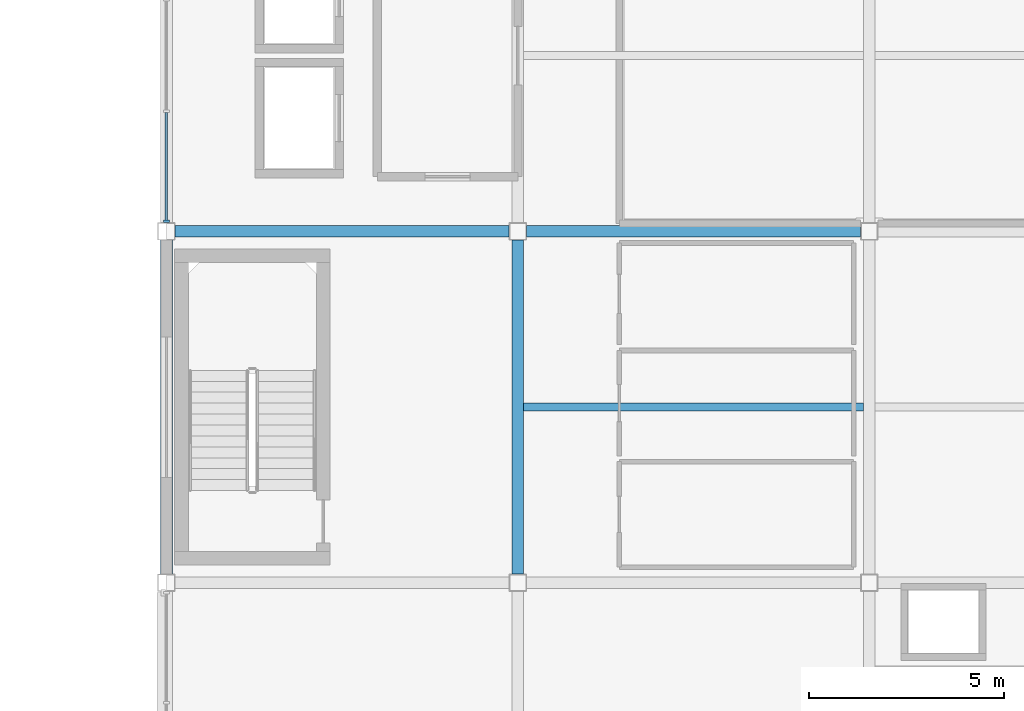
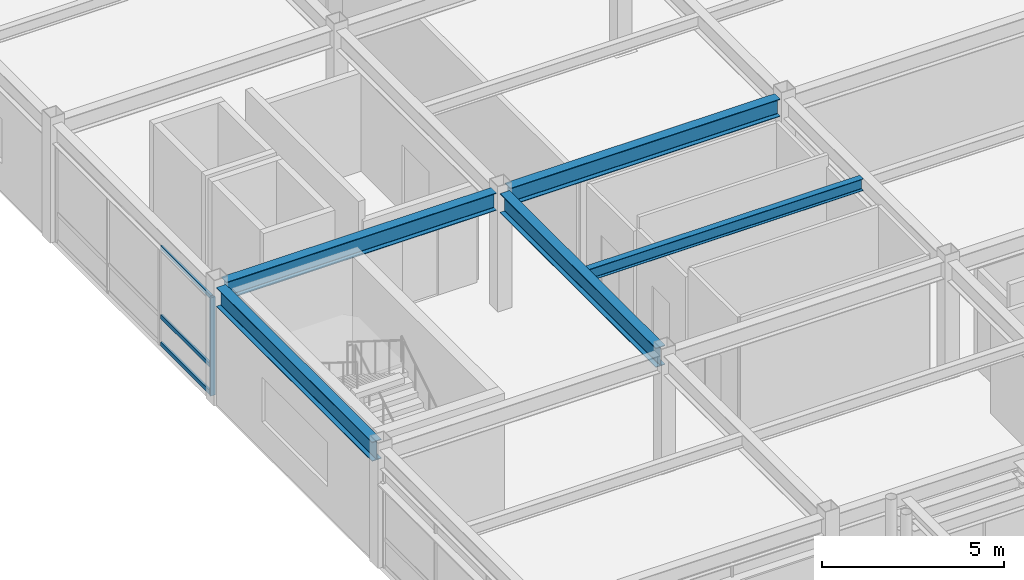
# One storey, part 54 of 105: 5 beams, 4 members, 1 element without a shape of its own.
"""IFC4 building model written with IfcOpenShell, lengths in metres."""

import ifcopenshell
import ifcopenshell.guid

model = None  # the IFC model being written
_history = None  # IfcOwnerHistory: only IFC2X3 demands one
_inside = {}  # id of a spatial element -> (the spatial element, [elements in it])
_under = {}  # id of a project, library or spatial element -> (it, [spatial elements below it])
_declared = {}  # id of a project -> (the project, [libraries it declares])
_typed = {}  # id of a type object -> (the type object, [elements of that type])
_made_of = {}  # id of a material, layer set ... -> (it, [elements and type objects made of it])


def new_model(schema):
    """Start an empty IFC model of exactly this schema.

    Asked for "IFC4X3", IfcOpenShell would pick the latest addendum, in which some entities
    have other attributes; the version numbers below select the first issue.
    IFC2X3 requires an IfcOwnerHistory on every rooted entity: one is made here for all.
    """
    global model, _history
    if schema == "IFC4X3":
        model = ifcopenshell.file(schema_version=(4, 3, 0, 0))
    else:
        model = ifcopenshell.file(schema=schema)
    _inside.clear()
    _under.clear()
    _declared.clear()
    _typed.clear()
    _made_of.clear()
    _history = None
    if model.schema == "IFC2X3":
        org = make("IfcOrganization", Name="unknown")
        user = make(
            "IfcPersonAndOrganization",
            ThePerson=make("IfcPerson", FamilyName="unknown"),
            TheOrganization=org,
        )
        app = make(
            "IfcApplication",
            ApplicationDeveloper=org,
            Version="unknown",
            ApplicationFullName="unknown",
            ApplicationIdentifier="unknown",
        )
        _history = make(
            "IfcOwnerHistory",
            OwningUser=user,
            OwningApplication=app,
            ChangeAction="ADDED",
            CreationDate=0,
        )
    return model


def make(cls, **values):
    """One entity of the class cls with the attributes given. An attribute that is None is left unset."""
    return model.create_entity(
        cls, **{name: value for name, value in values.items() if value is not None}
    )


def rooted(cls, **values):
    """An entity with a GlobalId (a new one), such as an element, a storey or a relation."""
    return make(cls, GlobalId=ifcopenshell.guid.new(), OwnerHistory=_history, **values)


def si_unit(unit_type, name, prefix=None):
    """IfcSIUnit, for example si_unit("LENGTHUNIT", "METRE", prefix="MILLI")."""
    return make("IfcSIUnit", UnitType=unit_type, Prefix=prefix, Name=name)


def assignment(units):
    """IfcUnitAssignment: the units of a project."""
    return None if units is None else make("IfcUnitAssignment", Units=units)


def point(xyz):
    """IfcCartesianPoint."""
    return None if xyz is None else make("IfcCartesianPoint", Coordinates=xyz)


def direction(xyz):
    """IfcDirection."""
    return None if xyz is None else make("IfcDirection", DirectionRatios=xyz)


def frame(location, z_axis=None, x_axis=None):
    """IfcAxis2Placement3D, a coordinate frame: its origin and axes. An axis left out is left unset."""
    return make(
        "IfcAxis2Placement3D",
        Location=point(location),
        Axis=direction(z_axis),
        RefDirection=direction(x_axis),
    )


def frame_2d(location, x_axis=None):
    """IfcAxis2Placement2D, a coordinate frame in the plane: its origin and x axis."""
    return make(
        "IfcAxis2Placement2D", Location=point(location), RefDirection=direction(x_axis)
    )


def origin():
    """The frame at (0, 0, 0) with its axes left unset."""
    return frame((0.0, 0.0, 0.0))


def origin_2d():
    """The frame at (0, 0) in the plane with its x axis left unset."""
    return frame_2d((0.0, 0.0))


def place(relative_to, where):
    """IfcLocalPlacement: puts the frame where relative to a parent placement (None: the world)."""
    return make(
        "IfcLocalPlacement", PlacementRelTo=relative_to, RelativePlacement=where
    )


def context(
    kind, dimensions, precision=None, world=None, true_north=None, identifier=None
):
    """IfcGeometricRepresentationContext, for example the 3D "Model" context."""
    return make(
        "IfcGeometricRepresentationContext",
        ContextIdentifier=identifier,
        ContextType=kind,
        CoordinateSpaceDimension=dimensions,
        Precision=precision,
        WorldCoordinateSystem=world,
        TrueNorth=true_north,
    )


def subcontext(parent, identifier, kind, view, scale=None):
    """IfcGeometricRepresentationSubContext, for example "Body" below "Model"."""
    return make(
        "IfcGeometricRepresentationSubContext",
        ContextIdentifier=identifier,
        ContextType=kind,
        ParentContext=parent,
        TargetScale=scale,
        TargetView=view,
    )


def project(units=None, contexts=None):
    """IfcProject with its units and contexts."""
    return rooted(
        "IfcProject",
        Name="project",
        RepresentationContexts=contexts,
        UnitsInContext=assignment(units),
    )


def spatial(cls, under=None, at=None, **own):
    """A site, building, storey or space (cls), placed at a placement, below another one or the project."""
    s = rooted(cls, ObjectPlacement=at, **own)
    if under is not None:
        _under.setdefault(under.id(), (under, []))[1].append(s)
    return s


def profile(cls, at=None, kind="AREA", **sizes):
    """A parametric profile (cls). Its sizes go by their IFC names, for example OverallWidth=200.0."""
    return make(cls, ProfileType=kind, Position=at, **sizes)


def rectangle(**sizes):
    """IfcRectangleProfileDef."""
    return profile("IfcRectangleProfileDef", **sizes)


def i_section(**sizes):
    """IfcIShapeProfileDef."""
    return profile("IfcIShapeProfileDef", **sizes)


def extrude(swept, where, along, depth):
    """IfcExtrudedAreaSolid: the profile swept, set in the frame where, extruded along a direction by depth."""
    return make(
        "IfcExtrudedAreaSolid",
        SweptArea=swept,
        Position=where,
        ExtrudedDirection=direction(along),
        Depth=depth,
    )


def shape(context_of_items, identifier, shape_type, items):
    """IfcShapeRepresentation: the items that make up one representation, for example the "Body"."""
    return make(
        "IfcShapeRepresentation",
        ContextOfItems=context_of_items,
        RepresentationIdentifier=identifier,
        RepresentationType=shape_type,
        Items=items,
    )


def material(Name=None, Category=None):
    """IfcMaterial."""
    return make("IfcMaterial", Name=Name, Category=Category)


def material_profile(
    of_material, cross_section, Name=None, Category=None, Priority=None
):
    """IfcMaterialProfile: a cross section and its material."""
    return make(
        "IfcMaterialProfile",
        Name=Name,
        Material=of_material,
        Profile=cross_section,
        Priority=Priority,
        Category=Category,
    )


def profile_set(profiles, Name=None, composite=None):
    """IfcMaterialProfileSet."""
    return make(
        "IfcMaterialProfileSet",
        Name=Name,
        MaterialProfiles=profiles,
        CompositeProfile=composite,
    )


def made_of(thing, what):
    """Note that an element or type object is made of a material, layer set ...; save() writes the relation."""
    if what is not None:
        _made_of.setdefault(what.id(), (what, []))[1].append(thing)
    return thing


def type_object(cls, material=None, **own):
    """A type object (cls), such as IfcWallType, which elements share."""
    return made_of(rooted(cls, **own), material)


def element(
    cls,
    number,
    at=None,
    inside=None,
    cuts=None,
    type_object=None,
    material=None,
    context=None,
    identifier="Body",
    shape_type=None,
    held_by="IfcProductDefinitionShape",
    body=None,
    shapes=None,
    **own,
):
    """One element of the class cls, such as IfcWall. Its Tag is "e" and its number.

    at: its placement. inside: the storey or other place that contains it. cuts: it is an
    opening in that element (IfcRelVoidsElement). A single representation is given by context,
    identifier, shape_type and body (its items); several are given by shapes. held_by: the class
    of the entity that holds the representations. save() writes the other relations.
    """
    e = rooted(cls, Tag="e%d" % number, ObjectPlacement=at, **own)
    if body is not None:
        shapes = [shape(context, identifier, shape_type, body)]
    if shapes is not None:
        e.Representation = make(held_by, Representations=shapes)
    if inside is not None:
        _inside.setdefault(inside.id(), (inside, []))[1].append(e)
    if cuts is not None:
        rooted(
            "IfcRelVoidsElement", RelatingBuildingElement=cuts, RelatedOpeningElement=e
        )
    if type_object is not None:
        _typed.setdefault(type_object.id(), (type_object, []))[1].append(e)
    return made_of(e, material)


def aggregate(whole, parts):
    """IfcRelAggregates: a whole, such as a stair, and the parts it consists of."""
    return rooted("IfcRelAggregates", RelatingObject=whole, RelatedObjects=parts)


def save(model, path):
    """Write the relations noted so far, then the file.

    IfcRelAggregates (storeys below a building ...), IfcRelContainedInSpatialStructure (elements
    in a storey), IfcRelDefinesByType, IfcRelAssociatesMaterial and IfcRelDeclares: one each for
    every whole, place, type object, material and project.
    """
    for whole, parts in _under.values():
        aggregate(whole, parts)
    for where, things in _inside.values():
        rooted(
            "IfcRelContainedInSpatialStructure",
            RelatedElements=things,
            RelatingStructure=where,
        )
    for kind, things in _typed.values():
        rooted("IfcRelDefinesByType", RelatedObjects=things, RelatingType=kind)
    for what, things in _made_of.values():
        rooted("IfcRelAssociatesMaterial", RelatedObjects=things, RelatingMaterial=what)
    for by, libraries in _declared.values():
        rooted("IfcRelDeclares", RelatingContext=by, RelatedDefinitions=libraries)
    model.write(path)


model = new_model("IFC4")

# Units and contexts
model_context = context("Model", 3, precision=1e-05, world=origin(), true_north=direction((0.0, 1.0)))
body_context = subcontext(model_context, "Body", "Model", "MODEL_VIEW")
ifc_project = project(units=[si_unit("LENGTHUNIT", "METRE"), si_unit("AREAUNIT", "SQUARE_METRE"), si_unit("VOLUMEUNIT", "CUBIC_METRE"), si_unit("PLANEANGLEUNIT", "RADIAN"), si_unit("MASSUNIT", "GRAM", prefix="KILO")], contexts=[model_context])

# Site, building, storey
site_placement = place(None, origin())
site = spatial("IfcSite", under=ifc_project, at=site_placement, CompositionType="ELEMENT")
building_placement = place(site_placement, origin())
building = spatial("IfcBuilding", under=site, at=building_placement, Name="Suzunagisa Mobility Hub", CompositionType="ELEMENT")
storey_placement = place(building_placement, frame((0.0, 0.0, 5.10009765625)))
storey = spatial("IfcBuildingStorey", under=building, at=storey_placement, Name="L01", CompositionType="ELEMENT", Elevation=5.10009765625)

# Curtain wall, members
ifc_material_1 = material(Name="Thermally Broken Anodized Aluminum and Low-E Glazing", Category="aluminium")
curtain_wall_type = type_object("IfcCurtainWallType", Name="Unitised Curtain Wall CW-43 8500x3300", PredefinedType="USERDEFINED", material=ifc_material_1)
curtain_wall_placement = place(storey_placement, origin())
curtain_wall = element("IfcCurtainWall", 1, at=curtain_wall_placement, inside=storey, type_object=curtain_wall_type, Name="L01 Unitised Curtain Wall CW-194", ObjectType="UNITISED CURTAIN WALL", PredefinedType="USERDEFINED")
ifc_material_2 = material(Name="Anodized Aluminum 6063-T6", Category="aluminium")
ifc_material_profile_1 = material_profile(ifc_material_2, rectangle(XDim=0.06494140625, YDim=0.139892578125, at=origin_2d()), Name="TRAN-65x140")
ifc_profile_set_1 = profile_set([ifc_material_profile_1], Name="Anodized Aluminum 6063-T6")
member_type_1 = type_object("IfcMemberType", Name="Curtain Wall Framing CM-01 TRAN-65x140", PredefinedType="USERDEFINED", material=ifc_profile_set_1)
member_1_placement = place(storey_placement, frame((144.0, 65.047119140625, 0.032470703125), z_axis=(0.0, -1.0, 0.0), x_axis=(1.0, 0.0, 0.0)))
member_1 = element("IfcMember", 2, at=member_1_placement, type_object=member_type_1, Name="Curtain Wall Transom 194-T3.1", ObjectType="TRANSOM", PredefinedType="USERDEFINED", context=body_context, shape_type="SweptSolid", body=[
    extrude(rectangle(XDim=0.06494140625, YDim=0.139892578125, at=origin_2d()), origin(), (0.0, 0.0, 1.0), 2.76416015625),
])
member_2_placement = place(storey_placement, frame((144.0, 65.047119140625, 0.949951171875), z_axis=(0.0, -1.0, 0.0), x_axis=(1.0, 0.0, 0.0)))
member_2 = element("IfcMember", 3, at=member_2_placement, type_object=member_type_1, Name="Curtain Wall Transom 194-T3.2", ObjectType="TRANSOM", PredefinedType="USERDEFINED", context=body_context, shape_type="SweptSolid", body=[
    extrude(rectangle(XDim=0.06494140625, YDim=0.139892578125, at=origin_2d()), origin(), (0.0, 0.0, 1.0), 2.76416015625),
])
member_3_placement = place(storey_placement, frame((144.0, 65.047119140625, 3.267333984375), z_axis=(0.0, -1.0, 0.0), x_axis=(1.0, 0.0, 0.0)))
member_3 = element("IfcMember", 4, at=member_3_placement, type_object=member_type_1, Name="Curtain Wall Transom 194-T3.3", ObjectType="TRANSOM", PredefinedType="USERDEFINED", context=body_context, shape_type="SweptSolid", body=[
    extrude(rectangle(XDim=0.06494140625, YDim=0.139892578125, at=origin_2d()), origin(), (0.0, 0.0, 1.0), 2.76416015625),
])
ifc_material_profile_2 = material_profile(ifc_material_2, rectangle(XDim=0.06005859375, YDim=0.14990234375, at=origin_2d()), Name="MULL-60x150")
ifc_profile_set_2 = profile_set([ifc_material_profile_2], Name="Anodized Aluminum 6063-T6")
member_type_2 = type_object("IfcMemberType", Name="Curtain Wall Framing CM-03 MULL-60x150", PredefinedType="MULLION", material=ifc_profile_set_2)
member_4_placement = place(storey_placement, frame((144.0, 62.2548828125, 0.0), z_axis=(0.0, 0.0, 1.0), x_axis=(0.0, -1.0, 0.0)))
member_4 = element("IfcMember", 5, at=member_4_placement, type_object=member_type_2, Name="Curtain Wall Mullion 194-M4", PredefinedType="MULLION", context=body_context, shape_type="SweptSolid", body=[
    extrude(rectangle(XDim=0.06005859375, YDim=0.14990234375, at=origin_2d()), origin(), (0.0, 0.0, 1.0), 3.2998046875),
])
aggregate(curtain_wall, [member_4, member_1, member_2, member_3])

# Beams
ifc_material_3 = material(Name="Steel SN490B", Category="steel")
ifc_material_profile_3 = material_profile(ifc_material_3, i_section(OverallWidth=0.300048828125, OverallDepth=0.64990234375, WebThickness=0.012939453125, FlangeThickness=0.02197265625, FilletRadius=0.01611328125, at=origin_2d()), Name="H-650x300x13x22")
ifc_profile_set_3 = profile_set([ifc_material_profile_3], Name="Steel SN490B")
beam_type_1 = type_object("IfcBeamType", Name="Steel Beam BM-10 H-650x300x13x22", PredefinedType="BEAM", material=ifc_profile_set_3)
for number, where, z_axis, x_axis, name in (
    (6, (144.0, 53.220947265625, 3.625), (0.0, 1.0, 0.0), (-1.0, 0.0, 0.0), "L01 Primary Girder GY-1824"),
    (7, (153.0, 53.220947265625, 3.625), (0.0, 1.0, 0.0), (-1.0, 0.0, 0.0), "L01 Primary Girder GY-1830"),
):
    element("IfcBeam", number, at=place(storey_placement, frame(where, z_axis=z_axis, x_axis=x_axis)), inside=storey, type_object=beam_type_1, Name=name, PredefinedType="BEAM", context=body_context, shape_type="SweptSolid", body=[
        extrude(i_section(OverallWidth=0.300048828125, OverallDepth=0.64990234375, WebThickness=0.012939453125, FlangeThickness=0.02197265625, FilletRadius=0.01611328125, at=origin_2d()), origin(), (0.0, 0.0, 1.0), 8.55810546875),
    ])
ifc_material_4 = material(Name="Steel SN400B", Category="steel")
ifc_material_profile_4 = material_profile(ifc_material_4, i_section(OverallWidth=0.199951171875, OverallDepth=0.39990234375, WebThickness=0.008056640625, FlangeThickness=0.012939453125, FilletRadius=0.012939453125, at=origin_2d()), Name="H-400x200x8x13")
ifc_profile_set_4 = profile_set([ifc_material_profile_4], Name="Steel SN400B")
beam_type_2 = type_object("IfcBeamType", Name="Steel Beam BM-14 H-400x200x8x13", PredefinedType="JOIST", material=ifc_profile_set_4)
beam_placement = place(storey_placement, frame((153.14990234375, 57.5, 3.75), z_axis=(1.0, 0.0, 0.0), x_axis=(0.0, 1.0, 0.0)))
element("IfcBeam", 8, at=beam_placement, inside=storey, type_object=beam_type_2, Name="L01 Composite Floor Joist J-1857", PredefinedType="JOIST", context=body_context, shape_type="SweptSolid", body=[
    extrude(i_section(OverallWidth=0.199951171875, OverallDepth=0.39990234375, WebThickness=0.008056640625, FlangeThickness=0.012939453125, FilletRadius=0.012939453125, at=origin_2d()), origin(), (0.0, 0.0, 1.0), 8.7001953125),
])
ifc_material_profile_5 = material_profile(ifc_material_3, i_section(OverallWidth=0.300048828125, OverallDepth=0.587890625, WebThickness=0.011962890625, FlangeThickness=0.02001953125, FilletRadius=0.012939453125, at=origin_2d()), Name="H-588x300x12x20")
ifc_profile_set_5 = profile_set([ifc_material_profile_5], Name="Steel SN490B")
beam_type_3 = type_object("IfcBeamType", Name="Steel Beam BM-16 H-588x300x12x20", PredefinedType="BEAM", material=ifc_profile_set_5)
for number, where, z_axis, x_axis, name in (
    (9, (144.220947265625, 62.0, 3.656005859375), (1.0, 0.0, 0.0), (0.0, 1.0, 0.0), "L01 Primary Girder GX-1803"),
    (10, (153.220947265625, 62.0, 3.656005859375), (1.0, 0.0, 0.0), (0.0, 1.0, 0.0), "L01 Primary Girder GX-1804"),
):
    element("IfcBeam", number, at=place(storey_placement, frame(where, z_axis=z_axis, x_axis=x_axis)), inside=storey, type_object=beam_type_3, Name=name, PredefinedType="BEAM", context=body_context, shape_type="SweptSolid", body=[
        extrude(i_section(OverallWidth=0.300048828125, OverallDepth=0.587890625, WebThickness=0.011962890625, FlangeThickness=0.02001953125, FilletRadius=0.012939453125, at=origin_2d()), origin(), (0.0, 0.0, 1.0), 8.55810546875),
    ])

save(model, "model.ifc")
